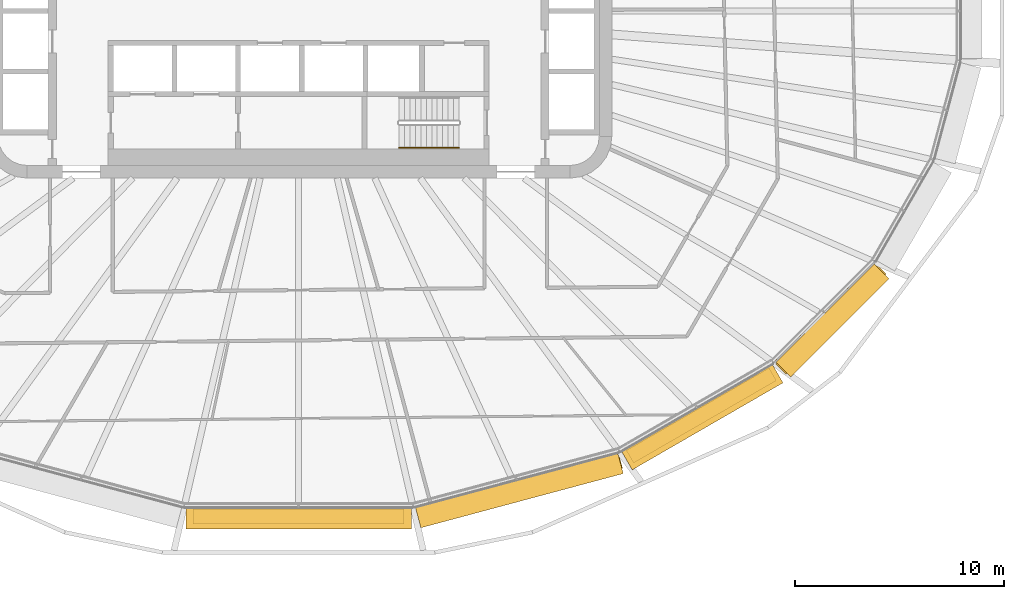
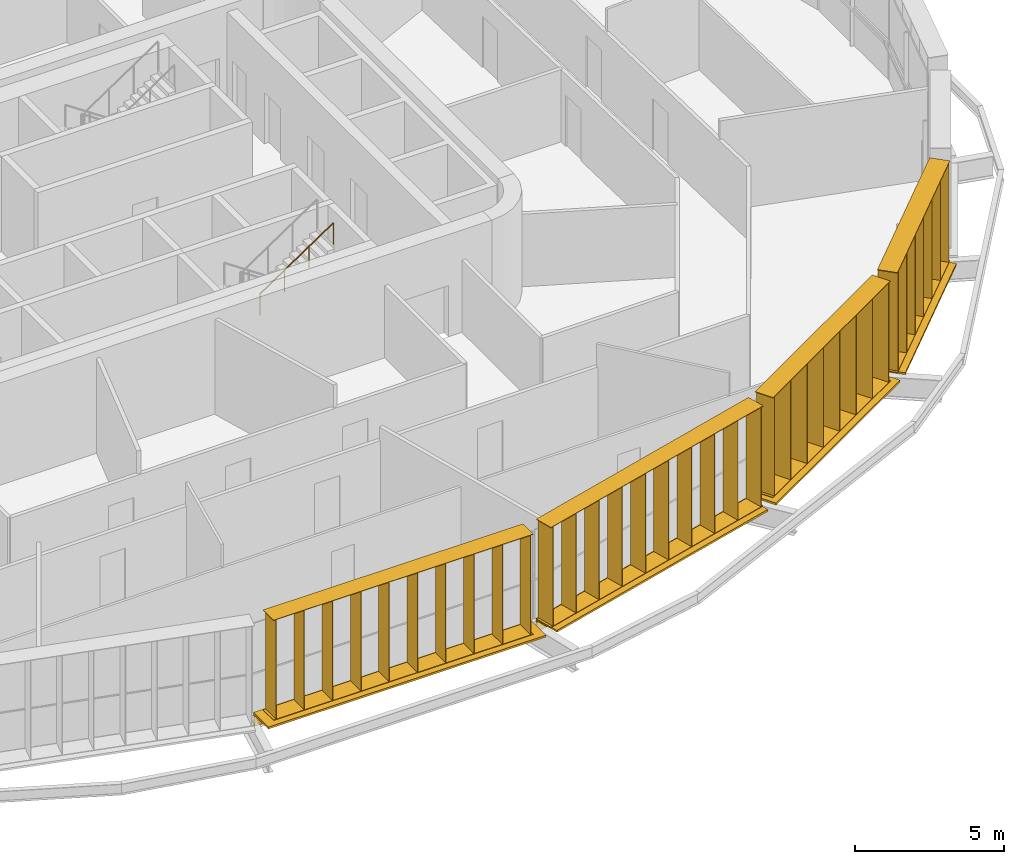
# One storey, part 23 of 26: 8 shading devices, 1 railing.
"""IFC4 building model written with IfcOpenShell, lengths in metres."""

from ifc_helpers import new_model, si_unit, direction, frame, origin, origin_2d, place, context, subcontext, project, spatial, rectangle, circle, extrude, material, type_object, element, save


model = new_model("IFC4")

# Units and contexts
model_context = context("Model", 3, precision=1e-05, world=origin(), true_north=direction((0.0, 1.0)))
body_context = subcontext(model_context, "Body", "Model", "MODEL_VIEW")
ifc_project = project(units=[si_unit("LENGTHUNIT", "METRE"), si_unit("AREAUNIT", "SQUARE_METRE"), si_unit("VOLUMEUNIT", "CUBIC_METRE"), si_unit("PLANEANGLEUNIT", "RADIAN"), si_unit("MASSUNIT", "GRAM", prefix="KILO")], contexts=[model_context])

# Site, building, storey
site_placement = place(None, origin())
site = spatial("IfcSite", under=ifc_project, at=site_placement, CompositionType="ELEMENT")
building_placement = place(site_placement, origin())
building = spatial("IfcBuilding", under=site, at=building_placement, Name="Sahrelin Media Tower", CompositionType="ELEMENT")
storey_placement = place(building_placement, frame((0.0, 0.0, 92.39990234375)))
storey = spatial("IfcBuildingStorey", under=building, at=storey_placement, Name="L17", CompositionType="ELEMENT", Elevation=92.39990234375)

# Shading devices
ifc_material_1 = material(Name="Champagne anodised aluminium 6063-T6", Category="aluminium")
shading_device_type_1 = type_object("IfcShadingDeviceType", Name="Fin cassette", PredefinedType="USERDEFINED", material=ifc_material_1)
placement_1 = place(storey_placement, frame((0.0, -23.786376953125, 0.0), z_axis=(0.0, 0.0, 1.0), x_axis=(-1.0, 0.0, 0.0)))
element("IfcShadingDevice", 1, at=placement_1, inside=storey, type_object=shading_device_type_1, Name="L17:FIN:L17-18", ObjectType="FIN", PredefinedType="USERDEFINED", context=body_context, shape_type="SweptSolid", body=[
    extrude(rectangle(XDim=10.10009765625, YDim=0.699951171875, at=origin_2d()), frame((0.0, 0.419921875, 0.0)), (0.0, 0.0, 1.0), 0.02001953125),
    extrude(rectangle(XDim=10.10009765625, YDim=0.699951171875, at=origin_2d()), frame((0.0, 0.419921875, 4.10009765625)), (0.0, 0.0, 1.0), 0.02001953125),
    extrude(rectangle(XDim=0.02001953125, YDim=0.699951171875, at=origin_2d()), frame((-4.949951171875, 0.419921875, 0.010009765625), z_axis=(0.0, 0.0, 1.0), x_axis=(1.0, 0.0, 0.0)), (0.0, 0.0, 1.0), 4.10009765625),
    extrude(rectangle(XDim=0.02001953125, YDim=0.699951171875, at=origin_2d()), frame((-3.85009765625, 0.419921875, 0.010009765625), z_axis=(0.0, 0.0, 1.0), x_axis=(1.0, 0.0, 0.0)), (0.0, 0.0, 1.0), 4.10009765625),
    extrude(rectangle(XDim=0.02001953125, YDim=0.699951171875, at=origin_2d()), frame((-2.75, 0.419921875, 0.010009765625), z_axis=(0.0, 0.0, 1.0), x_axis=(1.0, 0.0, 0.0)), (0.0, 0.0, 1.0), 4.10009765625),
    extrude(rectangle(XDim=0.02001953125, YDim=0.699951171875, at=origin_2d()), frame((-1.64990234375, 0.419921875, 0.010009765625), z_axis=(0.0, 0.0, 1.0), x_axis=(1.0, 0.0, 0.0)), (0.0, 0.0, 1.0), 4.10009765625),
    extrude(rectangle(XDim=0.02001953125, YDim=0.699951171875, at=origin_2d()), frame((-0.550048828125, 0.419921875, 0.010009765625), z_axis=(0.0, 0.0, 1.0), x_axis=(1.0, 0.0, 0.0)), (0.0, 0.0, 1.0), 4.10009765625),
    extrude(rectangle(XDim=0.02001953125, YDim=0.699951171875, at=origin_2d()), frame((0.550048828125, 0.419921875, 0.010009765625), z_axis=(0.0, 0.0, 1.0), x_axis=(1.0, 0.0, 0.0)), (0.0, 0.0, 1.0), 4.10009765625),
    extrude(rectangle(XDim=0.02001953125, YDim=0.699951171875, at=origin_2d()), frame((1.64990234375, 0.419921875, 0.010009765625), z_axis=(0.0, 0.0, 1.0), x_axis=(1.0, 0.0, 0.0)), (0.0, 0.0, 1.0), 4.10009765625),
    extrude(rectangle(XDim=0.02001953125, YDim=0.699951171875, at=origin_2d()), frame((2.75, 0.419921875, 0.010009765625), z_axis=(0.0, 0.0, 1.0), x_axis=(1.0, 0.0, 0.0)), (0.0, 0.0, 1.0), 4.10009765625),
    extrude(rectangle(XDim=0.02001953125, YDim=0.699951171875, at=origin_2d()), frame((3.85009765625, 0.419921875, 0.010009765625), z_axis=(0.0, 0.0, 1.0), x_axis=(1.0, 0.0, 0.0)), (0.0, 0.0, 1.0), 4.10009765625),
    extrude(rectangle(XDim=0.02001953125, YDim=0.699951171875, at=origin_2d()), frame((4.949951171875, 0.419921875, 0.010009765625), z_axis=(0.0, 0.0, 1.0), x_axis=(1.0, 0.0, 0.0)), (0.0, 0.0, 1.0), 4.10009765625),
])
placement_2 = place(storey_placement, frame((10.436279296875, -22.462158203125, 0.0), z_axis=(0.0, 0.0, 1.0), x_axis=(-0.965928857556, -0.258807731996, 0.0)))
element("IfcShadingDevice", 2, at=placement_2, inside=storey, type_object=shading_device_type_1, Name="L17:FIN:L17-19", ObjectType="FIN", PredefinedType="USERDEFINED", context=body_context, shape_type="SweptSolid", body=[
    extrude(rectangle(XDim=10.10009765625, YDim=0.699951171875, at=origin_2d()), frame((0.0, 0.419921875, 0.0)), (0.0, 0.0, 1.0), 0.02001953125),
    extrude(rectangle(XDim=10.10009765625, YDim=0.699951171875, at=origin_2d()), frame((0.0, 0.419921875, 4.10009765625)), (0.0, 0.0, 1.0), 0.02001953125),
    extrude(rectangle(XDim=0.02001953125, YDim=0.699951171875, at=origin_2d()), frame((-4.949951171875, 0.419921875, 0.010009765625), z_axis=(0.0, 0.0, 1.0), x_axis=(1.0, 0.0, 0.0)), (0.0, 0.0, 1.0), 4.10009765625),
    extrude(rectangle(XDim=0.02001953125, YDim=0.699951171875, at=origin_2d()), frame((-3.85009765625, 0.419921875, 0.010009765625), z_axis=(0.0, 0.0, 1.0), x_axis=(1.0, 0.0, 0.0)), (0.0, 0.0, 1.0), 4.10009765625),
    extrude(rectangle(XDim=0.02001953125, YDim=0.699951171875, at=origin_2d()), frame((-2.75, 0.419921875, 0.010009765625), z_axis=(0.0, 0.0, 1.0), x_axis=(1.0, 0.0, 0.0)), (0.0, 0.0, 1.0), 4.10009765625),
    extrude(rectangle(XDim=0.02001953125, YDim=0.699951171875, at=origin_2d()), frame((-1.64990234375, 0.419921875, 0.010009765625), z_axis=(0.0, 0.0, 1.0), x_axis=(1.0, 0.0, 0.0)), (0.0, 0.0, 1.0), 4.10009765625),
    extrude(rectangle(XDim=0.02001953125, YDim=0.699951171875, at=origin_2d()), frame((-0.550048828125, 0.419921875, 0.010009765625), z_axis=(0.0, 0.0, 1.0), x_axis=(1.0, 0.0, 0.0)), (0.0, 0.0, 1.0), 4.10009765625),
    extrude(rectangle(XDim=0.02001953125, YDim=0.699951171875, at=origin_2d()), frame((0.550048828125, 0.419921875, 0.010009765625), z_axis=(0.0, 0.0, 1.0), x_axis=(1.0, 0.0, 0.0)), (0.0, 0.0, 1.0), 4.10009765625),
    extrude(rectangle(XDim=0.02001953125, YDim=0.699951171875, at=origin_2d()), frame((1.64990234375, 0.419921875, 0.010009765625), z_axis=(0.0, 0.0, 1.0), x_axis=(1.0, 0.0, 0.0)), (0.0, 0.0, 1.0), 4.10009765625),
    extrude(rectangle(XDim=0.02001953125, YDim=0.699951171875, at=origin_2d()), frame((2.75, 0.419921875, 0.010009765625), z_axis=(0.0, 0.0, 1.0), x_axis=(1.0, 0.0, 0.0)), (0.0, 0.0, 1.0), 4.10009765625),
    extrude(rectangle(XDim=0.02001953125, YDim=0.699951171875, at=origin_2d()), frame((3.85009765625, 0.419921875, 0.010009765625), z_axis=(0.0, 0.0, 1.0), x_axis=(1.0, 0.0, 0.0)), (0.0, 0.0, 1.0), 4.10009765625),
    extrude(rectangle(XDim=0.02001953125, YDim=0.699951171875, at=origin_2d()), frame((4.949951171875, 0.419921875, 0.010009765625), z_axis=(0.0, 0.0, 1.0), x_axis=(1.0, 0.0, 0.0)), (0.0, 0.0, 1.0), 4.10009765625),
])
placement_3 = place(storey_placement, frame((19.074951171875, -19.003662109375, 0.0), z_axis=(0.0, 0.0, 1.0), x_axis=(-0.866019052629, -0.500011000363, 0.0)))
element("IfcShadingDevice", 3, at=placement_3, inside=storey, type_object=shading_device_type_1, Name="L17:FIN:L17-20", ObjectType="FIN", PredefinedType="USERDEFINED", context=body_context, shape_type="SweptSolid", body=[
    extrude(rectangle(XDim=7.89990234375, YDim=0.699951171875, at=origin_2d()), frame((0.0, 0.419921875, 0.0)), (0.0, 0.0, 1.0), 0.02001953125),
    extrude(rectangle(XDim=7.89990234375, YDim=0.699951171875, at=origin_2d()), frame((0.0, 0.419921875, 4.10009765625)), (0.0, 0.0, 1.0), 0.02001953125),
    extrude(rectangle(XDim=0.02001953125, YDim=0.699951171875, at=origin_2d()), frame((-3.85009765625, 0.419921875, 0.010009765625), z_axis=(0.0, 0.0, 1.0), x_axis=(1.0, 0.0, 0.0)), (0.0, 0.0, 1.0), 4.10009765625),
    extrude(rectangle(XDim=0.02001953125, YDim=0.699951171875, at=origin_2d()), frame((-2.75, 0.419921875, 0.010009765625), z_axis=(0.0, 0.0, 1.0), x_axis=(1.0, 0.0, 0.0)), (0.0, 0.0, 1.0), 4.10009765625),
    extrude(rectangle(XDim=0.02001953125, YDim=0.699951171875, at=origin_2d()), frame((-1.64990234375, 0.419921875, 0.010009765625), z_axis=(0.0, 0.0, 1.0), x_axis=(1.0, 0.0, 0.0)), (0.0, 0.0, 1.0), 4.10009765625),
    extrude(rectangle(XDim=0.02001953125, YDim=0.699951171875, at=origin_2d()), frame((-0.550048828125, 0.419921875, 0.010009765625), z_axis=(0.0, 0.0, 1.0), x_axis=(1.0, 0.0, 0.0)), (0.0, 0.0, 1.0), 4.10009765625),
    extrude(rectangle(XDim=0.02001953125, YDim=0.699951171875, at=origin_2d()), frame((0.550048828125, 0.419921875, 0.010009765625), z_axis=(0.0, 0.0, 1.0), x_axis=(1.0, 0.0, 0.0)), (0.0, 0.0, 1.0), 4.10009765625),
    extrude(rectangle(XDim=0.02001953125, YDim=0.699951171875, at=origin_2d()), frame((1.64990234375, 0.419921875, 0.010009765625), z_axis=(0.0, 0.0, 1.0), x_axis=(1.0, 0.0, 0.0)), (0.0, 0.0, 1.0), 4.10009765625),
    extrude(rectangle(XDim=0.02001953125, YDim=0.699951171875, at=origin_2d()), frame((2.75, 0.419921875, 0.010009765625), z_axis=(0.0, 0.0, 1.0), x_axis=(1.0, 0.0, 0.0)), (0.0, 0.0, 1.0), 4.10009765625),
    extrude(rectangle(XDim=0.02001953125, YDim=0.699951171875, at=origin_2d()), frame((3.85009765625, 0.419921875, 0.010009765625), z_axis=(0.0, 0.0, 1.0), x_axis=(1.0, 0.0, 0.0)), (0.0, 0.0, 1.0), 4.10009765625),
])
placement_4 = place(storey_placement, frame((25.192138671875, -14.448486328125, 0.0), z_axis=(0.0, 0.0, 1.0), x_axis=(-0.707106781187, -0.707106781187, 0.0)))
element("IfcShadingDevice", 4, at=placement_4, inside=storey, type_object=shading_device_type_1, Name="L17:FIN:L17-21", ObjectType="FIN", PredefinedType="USERDEFINED", context=body_context, shape_type="SweptSolid", body=[
    extrude(rectangle(XDim=6.800048828125, YDim=0.699951171875, at=origin_2d()), frame((0.0, 0.419921875, 0.0)), (0.0, 0.0, 1.0), 0.02001953125),
    extrude(rectangle(XDim=6.800048828125, YDim=0.699951171875, at=origin_2d()), frame((0.0, 0.419921875, 4.10009765625)), (0.0, 0.0, 1.0), 0.02001953125),
    extrude(rectangle(XDim=0.02001953125, YDim=0.699951171875, at=origin_2d()), frame((-3.300048828125, 0.419921875, 0.010009765625), z_axis=(0.0, 0.0, 1.0), x_axis=(1.0, 0.0, 0.0)), (0.0, 0.0, 1.0), 4.10009765625),
    extrude(rectangle(XDim=0.02001953125, YDim=0.699951171875, at=origin_2d()), frame((-2.199951171875, 0.419921875, 0.010009765625), z_axis=(0.0, 0.0, 1.0), x_axis=(1.0, 0.0, 0.0)), (0.0, 0.0, 1.0), 4.10009765625),
    extrude(rectangle(XDim=0.02001953125, YDim=0.699951171875, at=origin_2d()), frame((-1.10009765625, 0.419921875, 0.010009765625), z_axis=(0.0, 0.0, 1.0), x_axis=(1.0, 0.0, 0.0)), (0.0, 0.0, 1.0), 4.10009765625),
    extrude(rectangle(XDim=0.02001953125, YDim=0.699951171875, at=origin_2d()), frame((0.0, 0.419921875, 0.010009765625), z_axis=(0.0, 0.0, 1.0), x_axis=(1.0, 0.0, 0.0)), (0.0, 0.0, 1.0), 4.10009765625),
    extrude(rectangle(XDim=0.02001953125, YDim=0.699951171875, at=origin_2d()), frame((1.10009765625, 0.419921875, 0.010009765625), z_axis=(0.0, 0.0, 1.0), x_axis=(1.0, 0.0, 0.0)), (0.0, 0.0, 1.0), 4.10009765625),
    extrude(rectangle(XDim=0.02001953125, YDim=0.699951171875, at=origin_2d()), frame((2.199951171875, 0.419921875, 0.010009765625), z_axis=(0.0, 0.0, 1.0), x_axis=(1.0, 0.0, 0.0)), (0.0, 0.0, 1.0), 4.10009765625),
    extrude(rectangle(XDim=0.02001953125, YDim=0.699951171875, at=origin_2d()), frame((3.300048828125, 0.419921875, 0.010009765625), z_axis=(0.0, 0.0, 1.0), x_axis=(1.0, 0.0, 0.0)), (0.0, 0.0, 1.0), 4.10009765625),
])

# Railing
ifc_material_2 = material(Name="Steel S355", Category="steel")
railing_type = type_object("IfcRailingType", Name="Stair handrail 900", PredefinedType="HANDRAIL", material=ifc_material_2)
railing_placement = place(storey_placement, frame((4.81494140625, -6.550048828125, 2.275146484375)))
element("IfcRailing", 5, at=railing_placement, inside=storey, type_object=railing_type, Name="L17 ST2 stair handrail 2", PredefinedType="HANDRAIL", context=body_context, shape_type="SweptSolid", body=[
    extrude(circle(Radius=0.02392578125, at=origin_2d()), frame((0.0, 0.0, 0.8759765625), z_axis=(0.829590901723, 0.0, 0.558371682465), x_axis=(0.0, 1.0, 0.0)), (0.0, 0.0, 1.0), 3.447509765625),
    extrude(circle(Radius=0.02099609375, at=origin_2d()), origin(), (0.0, 0.0, 1.0), 0.851806640625),
    extrude(circle(Radius=0.02099609375, at=origin_2d()), frame((0.953369140625, 0.0, 0.6416015625)), (0.0, 0.0, 1.0), 0.851806640625),
    extrude(circle(Radius=0.02099609375, at=origin_2d()), frame((1.90673828125, 0.0, 1.283447265625)), (0.0, 0.0, 1.0), 0.851806640625),
    extrude(circle(Radius=0.02099609375, at=origin_2d()), frame((2.860107421875, 0.0, 1.925048828125)), (0.0, 0.0, 1.0), 0.851806640625),
])

# Shading devices
shading_device_type_2 = type_object("IfcShadingDeviceType", Name="Sunshade band", PredefinedType="USERDEFINED", material=ifc_material_1)
element("IfcShadingDevice", 6, at=placement_1, inside=storey, type_object=shading_device_type_2, Name="L17:SUN:L17-18", ObjectType="SUNSHADE", PredefinedType="USERDEFINED", context=body_context, shape_type="SweptSolid", body=[
    extrude(rectangle(XDim=10.7880859375, YDim=0.050048828125, at=origin_2d()), frame((0.0, 0.044921875, -0.55126953125)), (0.0, 0.0, 1.0), 0.471435546875),
    extrude(rectangle(XDim=10.7880859375, YDim=1.0, at=origin_2d()), frame((0.0, 0.52001953125, -0.080078125)), (0.0, 0.0, 1.0), 0.080078125),
    extrude(rectangle(XDim=0.10009765625, YDim=0.074951171875, at=origin_2d()), frame((-5.2939453125, -0.017578125, -0.47021484375)), (0.0, 0.0, 1.0), 0.300048828125),
    extrude(rectangle(XDim=0.10009765625, YDim=0.074951171875, at=origin_2d()), frame((-3.529296875, -0.017578125, -0.47021484375)), (0.0, 0.0, 1.0), 0.300048828125),
    extrude(rectangle(XDim=0.10009765625, YDim=0.074951171875, at=origin_2d()), frame((-1.7646484375, -0.017578125, -0.47021484375)), (0.0, 0.0, 1.0), 0.300048828125),
    extrude(rectangle(XDim=0.10009765625, YDim=0.074951171875, at=origin_2d()), frame((0.0, -0.017578125, -0.47021484375)), (0.0, 0.0, 1.0), 0.300048828125),
    extrude(rectangle(XDim=0.10009765625, YDim=0.074951171875, at=origin_2d()), frame((1.7646484375, -0.017578125, -0.47021484375)), (0.0, 0.0, 1.0), 0.300048828125),
    extrude(rectangle(XDim=0.10009765625, YDim=0.074951171875, at=origin_2d()), frame((3.529296875, -0.017578125, -0.47021484375)), (0.0, 0.0, 1.0), 0.300048828125),
    extrude(rectangle(XDim=0.10009765625, YDim=0.074951171875, at=origin_2d()), frame((5.2939453125, -0.017578125, -0.47021484375)), (0.0, 0.0, 1.0), 0.300048828125),
])
element("IfcShadingDevice", 7, at=placement_2, inside=storey, type_object=shading_device_type_2, Name="L17:SUN:L17-19", ObjectType="SUNSHADE", PredefinedType="USERDEFINED", context=body_context, shape_type="SweptSolid", body=[
    extrude(rectangle(XDim=10.033203125, YDim=0.050048828125, at=origin_2d()), frame((0.0, 0.044921875, -0.55126953125)), (0.0, 0.0, 1.0), 0.471435546875),
    extrude(rectangle(XDim=10.033203125, YDim=1.0, at=origin_2d()), frame((0.0, 0.52001953125, -0.080078125)), (0.0, 0.0, 1.0), 0.080078125),
    extrude(rectangle(XDim=0.10009765625, YDim=0.074951171875, at=origin_2d()), frame((-4.91650390625, -0.017578125, -0.47021484375)), (0.0, 0.0, 1.0), 0.300048828125),
    extrude(rectangle(XDim=0.10009765625, YDim=0.074951171875, at=origin_2d()), frame((-3.277587890625, -0.017578125, -0.47021484375)), (0.0, 0.0, 1.0), 0.300048828125),
    extrude(rectangle(XDim=0.10009765625, YDim=0.074951171875, at=origin_2d()), frame((-1.638916015625, -0.017578125, -0.47021484375)), (0.0, 0.0, 1.0), 0.300048828125),
    extrude(rectangle(XDim=0.10009765625, YDim=0.074951171875, at=origin_2d()), frame((0.0, -0.017578125, -0.47021484375)), (0.0, 0.0, 1.0), 0.300048828125),
    extrude(rectangle(XDim=0.10009765625, YDim=0.074951171875, at=origin_2d()), frame((1.638916015625, -0.017578125, -0.47021484375)), (0.0, 0.0, 1.0), 0.300048828125),
    extrude(rectangle(XDim=0.10009765625, YDim=0.074951171875, at=origin_2d()), frame((3.277587890625, -0.017578125, -0.47021484375)), (0.0, 0.0, 1.0), 0.300048828125),
    extrude(rectangle(XDim=0.10009765625, YDim=0.074951171875, at=origin_2d()), frame((4.91650390625, -0.017578125, -0.47021484375)), (0.0, 0.0, 1.0), 0.300048828125),
])
element("IfcShadingDevice", 8, at=placement_3, inside=storey, type_object=shading_device_type_2, Name="L17:SUN:L17-20", ObjectType="SUNSHADE", PredefinedType="USERDEFINED", context=body_context, shape_type="SweptSolid", body=[
    extrude(rectangle(XDim=8.336669921875, YDim=0.050048828125, at=origin_2d()), frame((0.0, 0.044921875, -0.55126953125)), (0.0, 0.0, 1.0), 0.471435546875),
    extrude(rectangle(XDim=8.336669921875, YDim=1.0, at=origin_2d()), frame((0.0, 0.52001953125, -0.080078125)), (0.0, 0.0, 1.0), 0.080078125),
    extrude(rectangle(XDim=0.10009765625, YDim=0.074951171875, at=origin_2d()), frame((-4.068359375, -0.017578125, -0.47021484375)), (0.0, 0.0, 1.0), 0.300048828125),
    extrude(rectangle(XDim=0.10009765625, YDim=0.074951171875, at=origin_2d()), frame((-2.44091796875, -0.017578125, -0.47021484375)), (0.0, 0.0, 1.0), 0.300048828125),
    extrude(rectangle(XDim=0.10009765625, YDim=0.074951171875, at=origin_2d()), frame((-0.813720703125, -0.017578125, -0.47021484375)), (0.0, 0.0, 1.0), 0.300048828125),
    extrude(rectangle(XDim=0.10009765625, YDim=0.074951171875, at=origin_2d()), frame((0.813720703125, -0.017578125, -0.47021484375)), (0.0, 0.0, 1.0), 0.300048828125),
    extrude(rectangle(XDim=0.10009765625, YDim=0.074951171875, at=origin_2d()), frame((2.44091796875, -0.017578125, -0.47021484375)), (0.0, 0.0, 1.0), 0.300048828125),
    extrude(rectangle(XDim=0.10009765625, YDim=0.074951171875, at=origin_2d()), frame((4.068359375, -0.017578125, -0.47021484375)), (0.0, 0.0, 1.0), 0.300048828125),
])
element("IfcShadingDevice", 9, at=placement_4, inside=storey, type_object=shading_device_type_2, Name="L17:SUN:L17-21", ObjectType="SUNSHADE", PredefinedType="USERDEFINED", context=body_context, shape_type="SweptSolid", body=[
    extrude(rectangle(XDim=6.64697265625, YDim=0.050048828125, at=origin_2d()), frame((0.0, 0.044921875, -0.55126953125)), (0.0, 0.0, 1.0), 0.471435546875),
    extrude(rectangle(XDim=6.64697265625, YDim=1.0, at=origin_2d()), frame((0.0, 0.52001953125, -0.080078125)), (0.0, 0.0, 1.0), 0.080078125),
    extrude(rectangle(XDim=0.10009765625, YDim=0.074951171875, at=origin_2d()), frame((-3.223388671875, -0.017578125, -0.47021484375)), (0.0, 0.0, 1.0), 0.300048828125),
    extrude(rectangle(XDim=0.10009765625, YDim=0.074951171875, at=origin_2d()), frame((-1.61181640625, -0.017578125, -0.47021484375)), (0.0, 0.0, 1.0), 0.300048828125),
    extrude(rectangle(XDim=0.10009765625, YDim=0.074951171875, at=origin_2d()), frame((0.0, -0.017578125, -0.47021484375)), (0.0, 0.0, 1.0), 0.300048828125),
    extrude(rectangle(XDim=0.10009765625, YDim=0.074951171875, at=origin_2d()), frame((1.61181640625, -0.017578125, -0.47021484375)), (0.0, 0.0, 1.0), 0.300048828125),
    extrude(rectangle(XDim=0.10009765625, YDim=0.074951171875, at=origin_2d()), frame((3.223388671875, -0.017578125, -0.47021484375)), (0.0, 0.0, 1.0), 0.300048828125),
])

save(model, "model.ifc")
